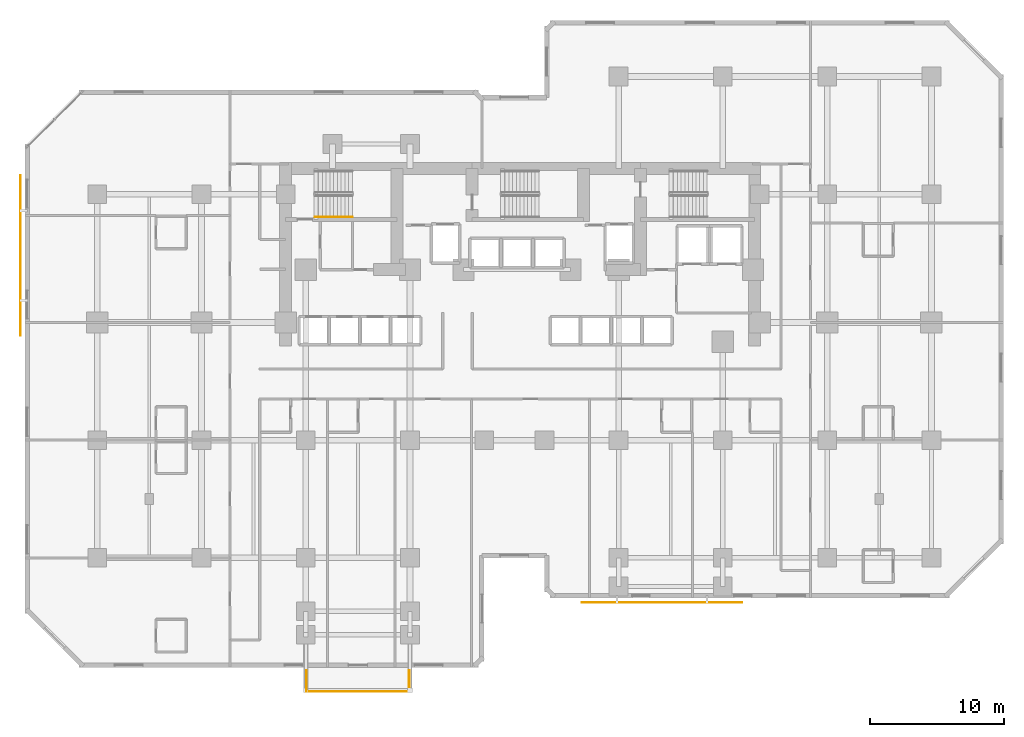
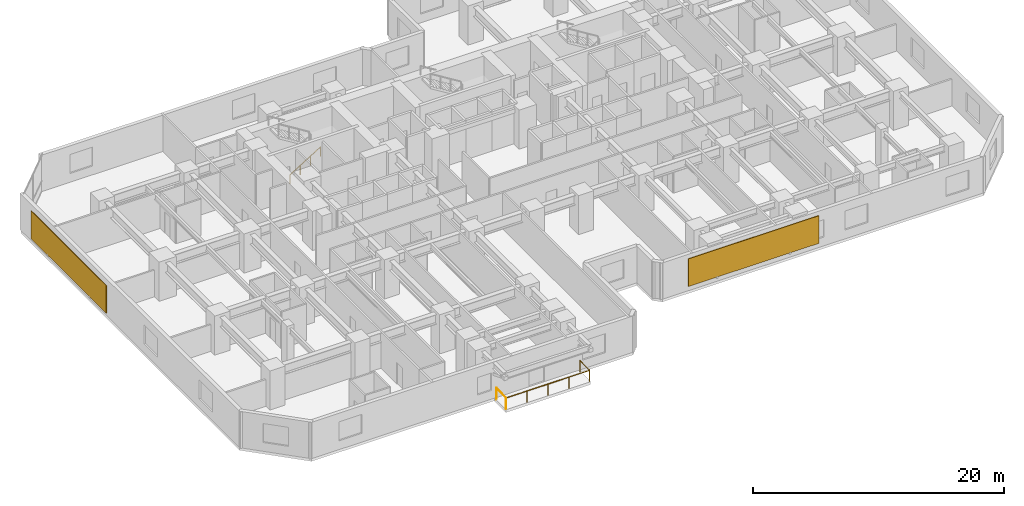
# One storey, part 11 of 12: 3 railings, 2 shading devices.
"""IFC4 building model written with IfcOpenShell, lengths in metres."""

import ifcopenshell
import ifcopenshell.guid

model = None  # the IFC model being written
_history = None  # IfcOwnerHistory: only IFC2X3 demands one
_inside = {}  # id of a spatial element -> (the spatial element, [elements in it])
_under = {}  # id of a project, library or spatial element -> (it, [spatial elements below it])
_declared = {}  # id of a project -> (the project, [libraries it declares])
_typed = {}  # id of a type object -> (the type object, [elements of that type])
_made_of = {}  # id of a material, layer set ... -> (it, [elements and type objects made of it])


def new_model(schema):
    """Start an empty IFC model of exactly this schema.

    Asked for "IFC4X3", IfcOpenShell would pick the latest addendum, in which some entities
    have other attributes; the version numbers below select the first issue.
    IFC2X3 requires an IfcOwnerHistory on every rooted entity: one is made here for all.
    """
    global model, _history
    if schema == "IFC4X3":
        model = ifcopenshell.file(schema_version=(4, 3, 0, 0))
    else:
        model = ifcopenshell.file(schema=schema)
    _inside.clear()
    _under.clear()
    _declared.clear()
    _typed.clear()
    _made_of.clear()
    _history = None
    if model.schema == "IFC2X3":
        org = make("IfcOrganization", Name="unknown")
        user = make(
            "IfcPersonAndOrganization",
            ThePerson=make("IfcPerson", FamilyName="unknown"),
            TheOrganization=org,
        )
        app = make(
            "IfcApplication",
            ApplicationDeveloper=org,
            Version="unknown",
            ApplicationFullName="unknown",
            ApplicationIdentifier="unknown",
        )
        _history = make(
            "IfcOwnerHistory",
            OwningUser=user,
            OwningApplication=app,
            ChangeAction="ADDED",
            CreationDate=0,
        )
    return model


def make(cls, **values):
    """One entity of the class cls with the attributes given. An attribute that is None is left unset."""
    return model.create_entity(
        cls, **{name: value for name, value in values.items() if value is not None}
    )


def rooted(cls, **values):
    """An entity with a GlobalId (a new one), such as an element, a storey or a relation."""
    return make(cls, GlobalId=ifcopenshell.guid.new(), OwnerHistory=_history, **values)


def si_unit(unit_type, name, prefix=None):
    """IfcSIUnit, for example si_unit("LENGTHUNIT", "METRE", prefix="MILLI")."""
    return make("IfcSIUnit", UnitType=unit_type, Prefix=prefix, Name=name)


def assignment(units):
    """IfcUnitAssignment: the units of a project."""
    return None if units is None else make("IfcUnitAssignment", Units=units)


def point(xyz):
    """IfcCartesianPoint."""
    return None if xyz is None else make("IfcCartesianPoint", Coordinates=xyz)


def direction(xyz):
    """IfcDirection."""
    return None if xyz is None else make("IfcDirection", DirectionRatios=xyz)


def frame(location, z_axis=None, x_axis=None):
    """IfcAxis2Placement3D, a coordinate frame: its origin and axes. An axis left out is left unset."""
    return make(
        "IfcAxis2Placement3D",
        Location=point(location),
        Axis=direction(z_axis),
        RefDirection=direction(x_axis),
    )


def frame_2d(location, x_axis=None):
    """IfcAxis2Placement2D, a coordinate frame in the plane: its origin and x axis."""
    return make(
        "IfcAxis2Placement2D", Location=point(location), RefDirection=direction(x_axis)
    )


def origin():
    """The frame at (0, 0, 0) with its axes left unset."""
    return frame((0.0, 0.0, 0.0))


def origin_2d():
    """The frame at (0, 0) in the plane with its x axis left unset."""
    return frame_2d((0.0, 0.0))


def place(relative_to, where):
    """IfcLocalPlacement: puts the frame where relative to a parent placement (None: the world)."""
    return make(
        "IfcLocalPlacement", PlacementRelTo=relative_to, RelativePlacement=where
    )


def context(
    kind, dimensions, precision=None, world=None, true_north=None, identifier=None
):
    """IfcGeometricRepresentationContext, for example the 3D "Model" context."""
    return make(
        "IfcGeometricRepresentationContext",
        ContextIdentifier=identifier,
        ContextType=kind,
        CoordinateSpaceDimension=dimensions,
        Precision=precision,
        WorldCoordinateSystem=world,
        TrueNorth=true_north,
    )


def subcontext(parent, identifier, kind, view, scale=None):
    """IfcGeometricRepresentationSubContext, for example "Body" below "Model"."""
    return make(
        "IfcGeometricRepresentationSubContext",
        ContextIdentifier=identifier,
        ContextType=kind,
        ParentContext=parent,
        TargetScale=scale,
        TargetView=view,
    )


def project(units=None, contexts=None):
    """IfcProject with its units and contexts."""
    return rooted(
        "IfcProject",
        Name="project",
        RepresentationContexts=contexts,
        UnitsInContext=assignment(units),
    )


def spatial(cls, under=None, at=None, **own):
    """A site, building, storey or space (cls), placed at a placement, below another one or the project."""
    s = rooted(cls, ObjectPlacement=at, **own)
    if under is not None:
        _under.setdefault(under.id(), (under, []))[1].append(s)
    return s


def profile(cls, at=None, kind="AREA", **sizes):
    """A parametric profile (cls). Its sizes go by their IFC names, for example OverallWidth=200.0."""
    return make(cls, ProfileType=kind, Position=at, **sizes)


def rectangle(**sizes):
    """IfcRectangleProfileDef."""
    return profile("IfcRectangleProfileDef", **sizes)


def circle(**sizes):
    """IfcCircleProfileDef."""
    return profile("IfcCircleProfileDef", **sizes)


def extrude(swept, where, along, depth):
    """IfcExtrudedAreaSolid: the profile swept, set in the frame where, extruded along a direction by depth."""
    return make(
        "IfcExtrudedAreaSolid",
        SweptArea=swept,
        Position=where,
        ExtrudedDirection=direction(along),
        Depth=depth,
    )


def shape(context_of_items, identifier, shape_type, items):
    """IfcShapeRepresentation: the items that make up one representation, for example the "Body"."""
    return make(
        "IfcShapeRepresentation",
        ContextOfItems=context_of_items,
        RepresentationIdentifier=identifier,
        RepresentationType=shape_type,
        Items=items,
    )


def material(Name=None, Category=None):
    """IfcMaterial."""
    return make("IfcMaterial", Name=Name, Category=Category)


def layer(
    of_material, thickness, ventilated=None, Name=None, Category=None, Priority=None
):
    """IfcMaterialLayer: one layer of a wall or slab, of a material (None: an air gap)."""
    return make(
        "IfcMaterialLayer",
        Material=of_material,
        LayerThickness=thickness,
        IsVentilated=ventilated,
        Name=Name,
        Category=Category,
        Priority=Priority,
    )


def layer_set(layers, Name=None):
    """IfcMaterialLayerSet."""
    return make("IfcMaterialLayerSet", MaterialLayers=layers, LayerSetName=Name)


def made_of(thing, what):
    """Note that an element or type object is made of a material, layer set ...; save() writes the relation."""
    if what is not None:
        _made_of.setdefault(what.id(), (what, []))[1].append(thing)
    return thing


def type_object(cls, material=None, **own):
    """A type object (cls), such as IfcWallType, which elements share."""
    return made_of(rooted(cls, **own), material)


def element(
    cls,
    number,
    at=None,
    inside=None,
    cuts=None,
    type_object=None,
    material=None,
    context=None,
    identifier="Body",
    shape_type=None,
    held_by="IfcProductDefinitionShape",
    body=None,
    shapes=None,
    **own,
):
    """One element of the class cls, such as IfcWall. Its Tag is "e" and its number.

    at: its placement. inside: the storey or other place that contains it. cuts: it is an
    opening in that element (IfcRelVoidsElement). A single representation is given by context,
    identifier, shape_type and body (its items); several are given by shapes. held_by: the class
    of the entity that holds the representations. save() writes the other relations.
    """
    e = rooted(cls, Tag="e%d" % number, ObjectPlacement=at, **own)
    if body is not None:
        shapes = [shape(context, identifier, shape_type, body)]
    if shapes is not None:
        e.Representation = make(held_by, Representations=shapes)
    if inside is not None:
        _inside.setdefault(inside.id(), (inside, []))[1].append(e)
    if cuts is not None:
        rooted(
            "IfcRelVoidsElement", RelatingBuildingElement=cuts, RelatedOpeningElement=e
        )
    if type_object is not None:
        _typed.setdefault(type_object.id(), (type_object, []))[1].append(e)
    return made_of(e, material)


def aggregate(whole, parts):
    """IfcRelAggregates: a whole, such as a stair, and the parts it consists of."""
    return rooted("IfcRelAggregates", RelatingObject=whole, RelatedObjects=parts)


def save(model, path):
    """Write the relations noted so far, then the file.

    IfcRelAggregates (storeys below a building ...), IfcRelContainedInSpatialStructure (elements
    in a storey), IfcRelDefinesByType, IfcRelAssociatesMaterial and IfcRelDeclares: one each for
    every whole, place, type object, material and project.
    """
    for whole, parts in _under.values():
        aggregate(whole, parts)
    for where, things in _inside.values():
        rooted(
            "IfcRelContainedInSpatialStructure",
            RelatedElements=things,
            RelatingStructure=where,
        )
    for kind, things in _typed.values():
        rooted("IfcRelDefinesByType", RelatedObjects=things, RelatingType=kind)
    for what, things in _made_of.values():
        rooted("IfcRelAssociatesMaterial", RelatedObjects=things, RelatingMaterial=what)
    for by, libraries in _declared.values():
        rooted("IfcRelDeclares", RelatingContext=by, RelatedDefinitions=libraries)
    model.write(path)


model = new_model("IFC4")

# Units and contexts
model_context = context("Model", 3, precision=1e-05, world=origin(), true_north=direction((0.0, 1.0)))
body_context = subcontext(model_context, "Body", "Model", "MODEL_VIEW")
ifc_project = project(units=[si_unit("LENGTHUNIT", "METRE"), si_unit("AREAUNIT", "SQUARE_METRE"), si_unit("VOLUMEUNIT", "CUBIC_METRE"), si_unit("PLANEANGLEUNIT", "RADIAN"), si_unit("MASSUNIT", "GRAM", prefix="KILO")], contexts=[model_context])

# Site, building, storey
site_placement = place(None, origin())
site = spatial("IfcSite", under=ifc_project, at=site_placement, CompositionType="ELEMENT")
building_placement = place(site_placement, origin())
building = spatial("IfcBuilding", under=site, at=building_placement, Name="Kestravale Grand Hotel", CompositionType="ELEMENT")
storey_placement = place(building_placement, frame((0.0, 0.0, 64.0)))
storey = spatial("IfcBuildingStorey", under=building, at=storey_placement, Name="L15", CompositionType="ELEMENT", Elevation=64.0)

# Railings
ifc_material_1 = material(Name="Champagne-bronze stainless steel and laminated glass guard", Category="steel")
railing_type_1 = type_object("IfcRailingType", Name="RL-EXT-1100", PredefinedType="GUARDRAIL", material=ifc_material_1)
railing_1_placement = place(storey_placement, frame((23.4599609375, 1.2099609375, 0.0)))
element("IfcRailing", 1, at=railing_1_placement, inside=storey, type_object=railing_type_1, Name="L15 outdoor terrace guard 1", PredefinedType="GUARDRAIL", context=body_context, shape_type="SweptSolid", body=[
    extrude(circle(Radius=0.02392578125, at=origin_2d()), frame((0.0, 0.0, 1.09619140625), z_axis=(0.0, 1.0, 0.0), x_axis=(-1.0, 0.0, 0.0)), (0.0, 0.0, 1.0), 1.570068359375),
    extrude(circle(Radius=0.02099609375, at=origin_2d()), origin(), (0.0, 0.0, 1.0), 1.072021484375),
    extrude(circle(Radius=0.02099609375, at=origin_2d()), frame((0.0, 1.570068359375, 0.0)), (0.0, 0.0, 1.0), 1.072021484375),
])
railing_2_placement = place(storey_placement, frame((31.139892578125, 2.780029296875, 0.0)))
element("IfcRailing", 2, at=railing_2_placement, inside=storey, type_object=railing_type_1, Name="L15 outdoor terrace guard 2", PredefinedType="GUARDRAIL", context=body_context, shape_type="SweptSolid", body=[
    extrude(circle(Radius=0.02392578125, at=origin_2d()), frame((0.0, 0.0, 1.09619140625), z_axis=(0.0, -1.0, 0.0), x_axis=(1.0, 0.0, 0.0)), (0.0, 0.0, 1.0), 1.570068359375),
    extrude(circle(Radius=0.02392578125, at=origin_2d()), frame((0.0, -1.570068359375, 1.09619140625), z_axis=(-1.0, 0.0, 0.0), x_axis=(0.0, -1.0, 0.0)), (0.0, 0.0, 1.0), 7.679931640625),
    extrude(circle(Radius=0.02099609375, at=origin_2d()), origin(), (0.0, 0.0, 1.0), 1.072021484375),
    extrude(circle(Radius=0.02099609375, at=origin_2d()), frame((0.0, -1.570068359375, 0.0)), (0.0, 0.0, 1.0), 1.072021484375),
    extrude(circle(Radius=0.02099609375, at=origin_2d()), frame((-1.919921875, -1.570068359375, 0.0)), (0.0, 0.0, 1.0), 1.072021484375),
    extrude(circle(Radius=0.02099609375, at=origin_2d()), frame((-3.83984375, -1.570068359375, 0.0)), (0.0, 0.0, 1.0), 1.072021484375),
    extrude(circle(Radius=0.02099609375, at=origin_2d()), frame((-5.760009765625, -1.570068359375, 0.0)), (0.0, 0.0, 1.0), 1.072021484375),
    extrude(circle(Radius=0.02099609375, at=origin_2d()), frame((-7.679931640625, -1.570068359375, 0.0)), (0.0, 0.0, 1.0), 1.072021484375),
])
ifc_material_2 = material(Name="Brushed stainless steel wall handrail", Category="steel")
railing_type_2 = type_object("IfcRailingType", Name="RL-ST-HND900", PredefinedType="HANDRAIL", material=ifc_material_2)
railing_3_placement = place(storey_placement, frame((24.080078125, 36.699951171875, 0.172607421875)))
element("IfcRailing", 3, at=railing_3_placement, inside=storey, type_object=railing_type_2, Name="L15 ST-1 stair handrail 1", PredefinedType="HANDRAIL", context=body_context, shape_type="SweptSolid", body=[
    extrude(circle(Radius=0.02392578125, at=origin_2d()), frame((0.0, 0.0, 0.8759765625), z_axis=(0.851069175582, 0.0, 0.525053576669), x_axis=(0.0, 1.0, 0.0)), (0.0, 0.0, 1.0), 3.289794921875),
    extrude(circle(Radius=0.02099609375, at=origin_2d()), origin(), (0.0, 0.0, 1.0), 0.851806640625),
    extrude(circle(Radius=0.02099609375, at=origin_2d()), frame((0.933349609375, 0.0, 0.57568359375)), (0.0, 0.0, 1.0), 0.851806640625),
    extrude(circle(Radius=0.02099609375, at=origin_2d()), frame((1.866455078125, 0.0, 1.151611328125)), (0.0, 0.0, 1.0), 0.851806640625),
    extrude(circle(Radius=0.02099609375, at=origin_2d()), frame((2.7998046875, 0.0, 1.727294921875)), (0.0, 0.0, 1.0), 0.851806640625),
])

# Shading devices
ifc_material_3 = material(Name="Perforated champagne-bronze aluminium and ceramic solar screen", Category="aluminium")
ifc_layer = layer(ifc_material_3, 0.06494140625)
ifc_layer_set = layer_set([ifc_layer], Name="SHD-SCR-CHEV")
shading_device_type = type_object("IfcShadingDeviceType", Name="SHD-SCR-CHEV", PredefinedType="USERDEFINED", material=ifc_layer_set)
for number, where, z_axis, x_axis, name in (
    (4, (50.050048828125, 7.860107421875, 0.699951171875), (0.0, 0.0, 1.0), (1.0, 0.0, 0.0), "L15 Perforated bronze ceramic chevron solar screen SCR-L15-07"),
    (5, (2.06005859375, 33.800048828125, 0.699951171875), (0.0, 0.0, 1.0), (0.0, -1.0, 0.0), "L15 Perforated bronze ceramic chevron solar screen SCR-L15-19"),
):
    element("IfcShadingDevice", number, at=place(storey_placement, frame(where, z_axis=z_axis, x_axis=x_axis)), inside=storey, type_object=shading_device_type, Name=name, ObjectType="SCREEN", PredefinedType="USERDEFINED", context=body_context, shape_type="SweptSolid", body=[
        extrude(rectangle(XDim=12.0, YDim=0.06494140625, at=origin_2d()), origin(), (0.0, 0.0, 1.0), 2.68994140625),
    ])

save(model, "model.ifc")
